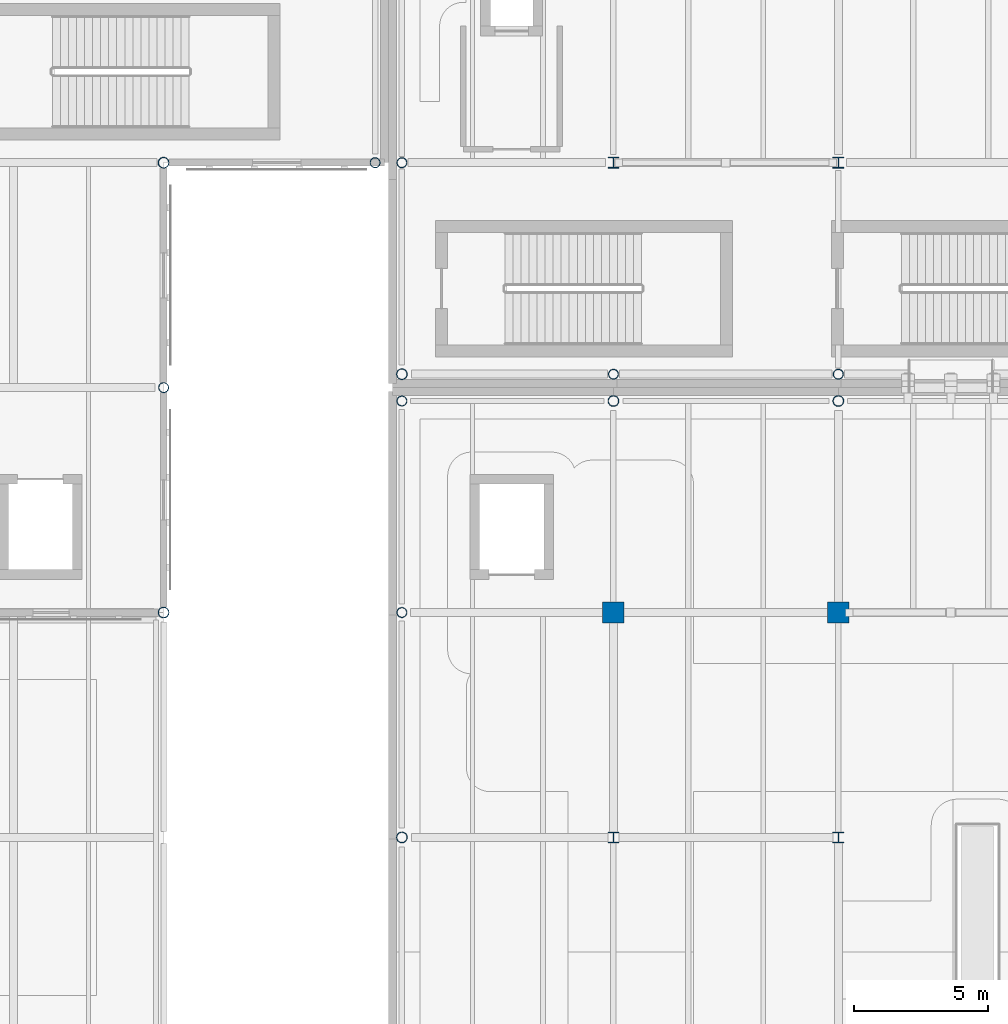
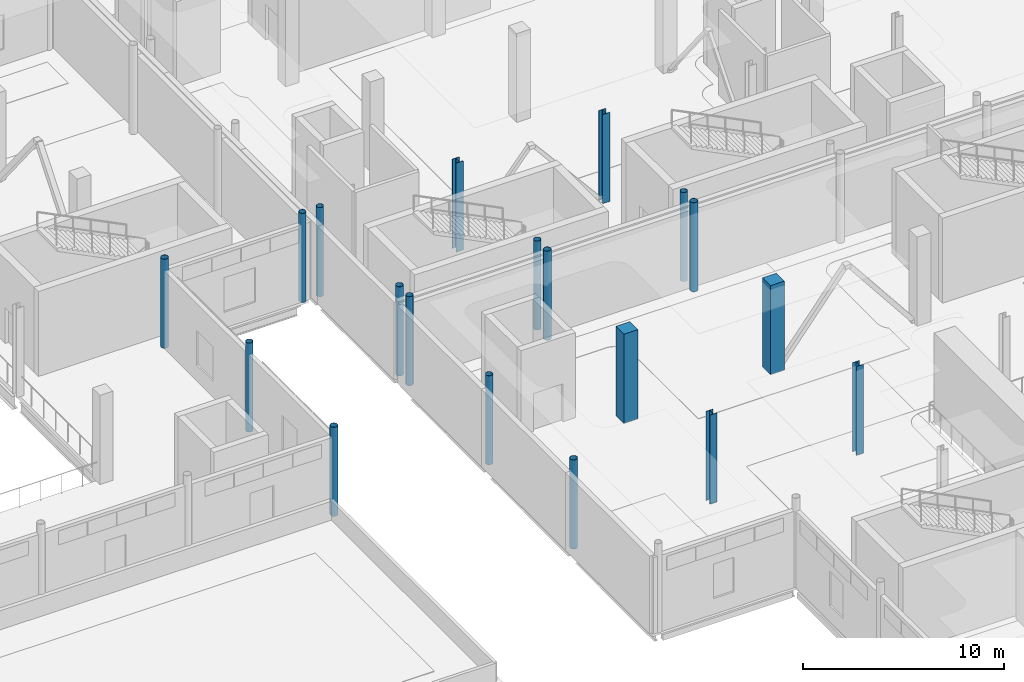
# One storey, part 5 of 110: 19 columns.
"""IFC4 building model written with IfcOpenShell, lengths in metres."""

from ifc_helpers import new_model, si_unit, direction, frame, origin, origin_2d, place, context, subcontext, project, spatial, rectangle, hollow_circle, i_section, extrude, material, material_profile, profile_set, type_object, element, save


model = new_model("IFC4")

# Units and contexts
model_context = context("Model", 3, precision=1e-05, world=origin(), true_north=direction((0.0, 1.0)))
body_context = subcontext(model_context, "Body", "Model", "MODEL_VIEW")
ifc_project = project(units=[si_unit("LENGTHUNIT", "METRE"), si_unit("AREAUNIT", "SQUARE_METRE"), si_unit("VOLUMEUNIT", "CUBIC_METRE"), si_unit("PLANEANGLEUNIT", "RADIAN"), si_unit("MASSUNIT", "GRAM", prefix="KILO"), si_unit("THERMODYNAMICTEMPERATUREUNIT", "KELVIN")], contexts=[model_context])

# Site, building, storey
site_placement = place(None, origin())
site = spatial("IfcSite", under=ifc_project, at=site_placement, CompositionType="ELEMENT")
building_placement = place(site_placement, origin())
building = spatial("IfcBuilding", under=site, at=building_placement, Name="Lustrewick Department Store", CompositionType="ELEMENT")
storey_placement = place(building_placement, frame((0.0, 0.0, 6.0)))
storey = spatial("IfcBuildingStorey", under=building, at=storey_placement, Name="L02", CompositionType="ELEMENT", Elevation=6.0)

# Columns
ifc_material_1 = material(Name="Structural steel Q355C", Category="steel")
ifc_material_profile_1 = material_profile(ifc_material_1, i_section(OverallWidth=0.405029296875, OverallDepth=0.4140625, WebThickness=0.01806640625, FlangeThickness=0.028076171875, FilletRadius=0.02197265625, at=origin_2d()), Name="HW 414x405x18x28")
ifc_profile_set_1 = profile_set([ifc_material_profile_1], Name="Structural steel Q355C")
column_type_1 = type_object("IfcColumnType", Name="C10", PredefinedType="COLUMN", material=ifc_profile_set_1)
for number, where, z_axis, x_axis, name in (
    (1, (117.60009765625, 58.800048828125, 0.0), (0.0, 0.0, 1.0), (1.0, 0.0, 0.0), "L02 V4 Column C10"),
    (2, (126.0, 58.800048828125, 0.0), (0.0, 0.0, 1.0), (1.0, 0.0, 0.0), "L02 V4 Column C10"),
):
    element("IfcColumn", number, at=place(storey_placement, frame(where, z_axis=z_axis, x_axis=x_axis)), inside=storey, type_object=column_type_1, Name=name, PredefinedType="COLUMN", context=body_context, shape_type="SweptSolid", body=[
        extrude(i_section(OverallWidth=0.405029296875, OverallDepth=0.4140625, WebThickness=0.01806640625, FlangeThickness=0.028076171875, FilletRadius=0.02197265625, at=origin_2d()), origin(), (0.0, 0.0, 1.0), 5.39990234375),
    ])
ifc_material_2 = material(Name="Structural steel Q355B", Category="steel")
ifc_material_profile_2 = material_profile(ifc_material_2, i_section(OverallWidth=0.39990234375, OverallDepth=0.39990234375, WebThickness=0.012939453125, FlangeThickness=0.02099609375, FilletRadius=0.02197265625, at=origin_2d()), Name="HW 400x400x13x21")
ifc_profile_set_2 = profile_set([ifc_material_profile_2], Name="Structural steel Q355B")
column_type_2 = type_object("IfcColumnType", Name="C11", PredefinedType="COLUMN", material=ifc_profile_set_2)
for number, where, z_axis, x_axis, name in (
    (3, (117.60009765625, 33.60009765625, 0.0), (0.0, 0.0, 1.0), (1.0, 0.0, 0.0), "L02 V3 Column C11"),
    (4, (126.0, 33.60009765625, 0.0), (0.0, 0.0, 1.0), (1.0, 0.0, 0.0), "L02 V3 Column C11"),
):
    element("IfcColumn", number, at=place(storey_placement, frame(where, z_axis=z_axis, x_axis=x_axis)), inside=storey, type_object=column_type_2, Name=name, PredefinedType="COLUMN", context=body_context, shape_type="SweptSolid", body=[
        extrude(i_section(OverallWidth=0.39990234375, OverallDepth=0.39990234375, WebThickness=0.012939453125, FlangeThickness=0.02099609375, FilletRadius=0.02197265625, at=origin_2d()), origin(), (0.0, 0.0, 1.0), 5.39990234375),
    ])
ifc_material_3 = material(Name="Concrete C40", Category="concrete")
ifc_material_profile_3 = material_profile(ifc_material_3, rectangle(XDim=0.800048828125, YDim=0.800048828125, at=origin_2d()), Name="RC 800x800")
ifc_profile_set_3 = profile_set([ifc_material_profile_3], Name="Concrete C40")
column_type_3 = type_object("IfcColumnType", Name="C19", PredefinedType="COLUMN", material=ifc_profile_set_3)
for number, where, z_axis, x_axis, name in (
    (5, (117.60009765625, 42.0, 0.0), (0.0, 0.0, 1.0), (1.0, 0.0, 0.0), "L02 V3 Column C19"),
    (6, (126.0, 42.0, 0.0), (0.0, 0.0, 1.0), (1.0, 0.0, 0.0), "L02 V3 Column C19"),
):
    element("IfcColumn", number, at=place(storey_placement, frame(where, z_axis=z_axis, x_axis=x_axis)), inside=storey, type_object=column_type_3, Name=name, PredefinedType="COLUMN", context=body_context, shape_type="SweptSolid", body=[
        extrude(rectangle(XDim=0.800048828125, YDim=0.800048828125, at=origin_2d()), origin(), (0.0, 0.0, 1.0), 5.39990234375),
    ])
ifc_material_profile_4 = material_profile(ifc_material_1, hollow_circle(Radius=0.202880859375, WallThickness=0.01611328125, at=origin_2d()), Name="CHS 406x16")
ifc_profile_set_4 = profile_set([ifc_material_profile_4], Name="Structural steel Q355C")
column_type_4 = type_object("IfcColumnType", Name="CE03", PredefinedType="COLUMN", material=ifc_profile_set_4)
for number, where, z_axis, x_axis, name in (
    (7, (100.800048828125, 42.0, 0.0), (0.0, 0.0, 1.0), (1.0, 0.0, 0.0), "L02 V2 Column CE03"),
    (8, (100.800048828125, 58.800048828125, 0.0), (0.0, 0.0, 1.0), (1.0, 0.0, 0.0), "L02 V2 Column CE03"),
    (9, (109.699951171875, 33.60009765625, 0.0), (0.0, 0.0, 1.0), (1.0, 0.0, 0.0), "L02 V3 Column CE03"),
    (10, (117.60009765625, 49.89990234375, 0.0), (0.0, 0.0, 1.0), (1.0, 0.0, 0.0), "L02 V3 Column CE03"),
    (11, (126.0, 49.89990234375, 0.0), (0.0, 0.0, 1.0), (1.0, 0.0, 0.0), "L02 V3 Column CE03"),
    (12, (109.699951171875, 50.89990234375, 0.0), (0.0, 0.0, 1.0), (1.0, 0.0, 0.0), "L02 V4 Column CE03"),
):
    element("IfcColumn", number, at=place(storey_placement, frame(where, z_axis=z_axis, x_axis=x_axis)), inside=storey, type_object=column_type_4, Name=name, PredefinedType="COLUMN", context=body_context, shape_type="SweptSolid", body=[
        extrude(hollow_circle(Radius=0.202880859375, WallThickness=0.01611328125, at=origin_2d()), origin(), (0.0, 0.0, 1.0), 5.39990234375),
    ])
ifc_material_profile_5 = material_profile(ifc_material_2, hollow_circle(Radius=0.1884765625, WallThickness=0.013916015625, at=origin_2d()), Name="CHS 377x14")
ifc_profile_set_5 = profile_set([ifc_material_profile_5], Name="Structural steel Q355B")
column_type_5 = type_object("IfcColumnType", Name="CE04", PredefinedType="COLUMN", material=ifc_profile_set_5)
for number, where, z_axis, x_axis, name in (
    (13, (100.800048828125, 50.39990234375, 0.0), (0.0, 0.0, 1.0), (1.0, 0.0, 0.0), "L02 V2 Column CE04"),
    (14, (108.699951171875, 58.800048828125, 0.0), (0.0, 0.0, 1.0), (1.0, 0.0, 0.0), "L02 V2 Column CE04"),
    (15, (109.699951171875, 42.0, 0.0), (0.0, 0.0, 1.0), (1.0, 0.0, 0.0), "L02 V3 Column CE04"),
    (16, (109.699951171875, 49.89990234375, 0.0), (0.0, 0.0, 1.0), (1.0, 0.0, 0.0), "L02 V3 Column CE04"),
    (17, (109.699951171875, 58.800048828125, 0.0), (0.0, 0.0, 1.0), (1.0, 0.0, 0.0), "L02 V4 Column CE04"),
    (18, (117.60009765625, 50.89990234375, 0.0), (0.0, 0.0, 1.0), (1.0, 0.0, 0.0), "L02 V4 Column CE04"),
    (19, (126.0, 50.89990234375, 0.0), (0.0, 0.0, 1.0), (1.0, 0.0, 0.0), "L02 V4 Column CE04"),
):
    element("IfcColumn", number, at=place(storey_placement, frame(where, z_axis=z_axis, x_axis=x_axis)), inside=storey, type_object=column_type_5, Name=name, PredefinedType="COLUMN", context=body_context, shape_type="SweptSolid", body=[
        extrude(hollow_circle(Radius=0.1884765625, WallThickness=0.013916015625, at=origin_2d()), origin(), (0.0, 0.0, 1.0), 5.39990234375),
    ])

save(model, "model.ifc")
